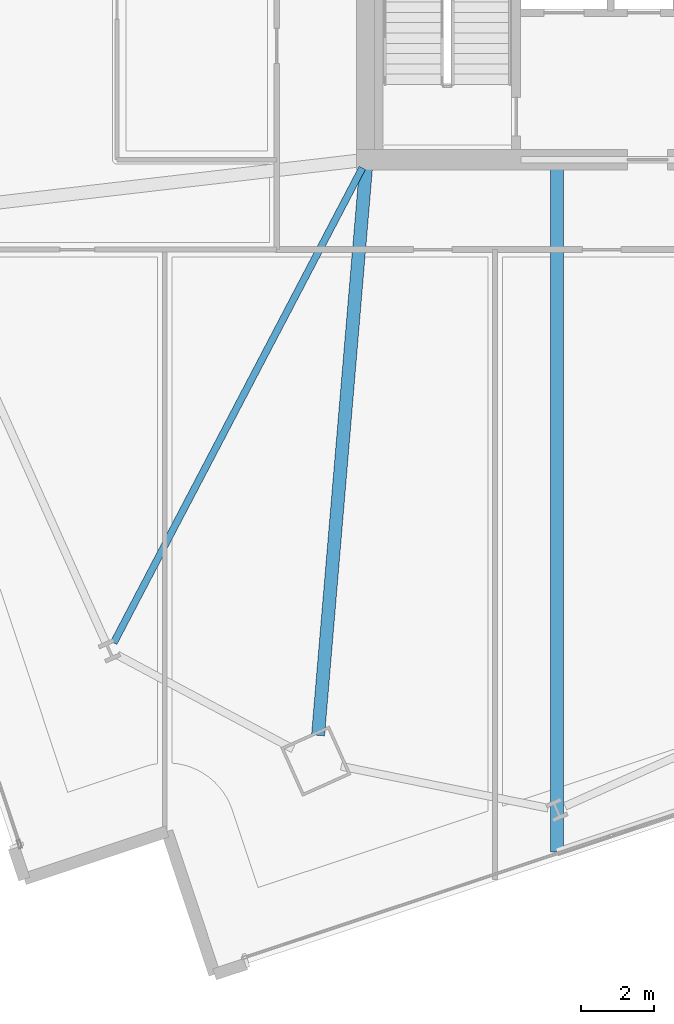
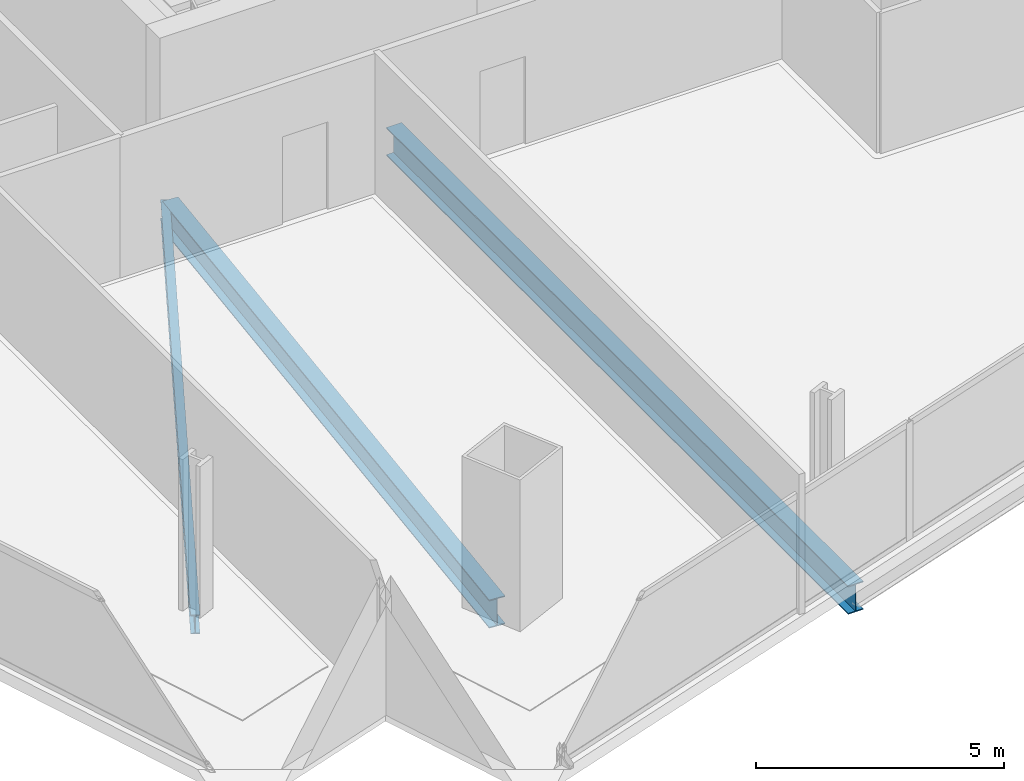
# One storey, part 4 of 34: 3 beams.
"""IFC4 building model written with IfcOpenShell, lengths in metres."""

import ifcopenshell
import ifcopenshell.guid

model = None  # the IFC model being written
_history = None  # IfcOwnerHistory: only IFC2X3 demands one
_inside = {}  # id of a spatial element -> (the spatial element, [elements in it])
_under = {}  # id of a project, library or spatial element -> (it, [spatial elements below it])
_declared = {}  # id of a project -> (the project, [libraries it declares])
_typed = {}  # id of a type object -> (the type object, [elements of that type])
_made_of = {}  # id of a material, layer set ... -> (it, [elements and type objects made of it])


def new_model(schema):
    """Start an empty IFC model of exactly this schema.

    Asked for "IFC4X3", IfcOpenShell would pick the latest addendum, in which some entities
    have other attributes; the version numbers below select the first issue.
    IFC2X3 requires an IfcOwnerHistory on every rooted entity: one is made here for all.
    """
    global model, _history
    if schema == "IFC4X3":
        model = ifcopenshell.file(schema_version=(4, 3, 0, 0))
    else:
        model = ifcopenshell.file(schema=schema)
    _inside.clear()
    _under.clear()
    _declared.clear()
    _typed.clear()
    _made_of.clear()
    _history = None
    if model.schema == "IFC2X3":
        org = make("IfcOrganization", Name="unknown")
        user = make(
            "IfcPersonAndOrganization",
            ThePerson=make("IfcPerson", FamilyName="unknown"),
            TheOrganization=org,
        )
        app = make(
            "IfcApplication",
            ApplicationDeveloper=org,
            Version="unknown",
            ApplicationFullName="unknown",
            ApplicationIdentifier="unknown",
        )
        _history = make(
            "IfcOwnerHistory",
            OwningUser=user,
            OwningApplication=app,
            ChangeAction="ADDED",
            CreationDate=0,
        )
    return model


def make(cls, **values):
    """One entity of the class cls with the attributes given. An attribute that is None is left unset."""
    return model.create_entity(
        cls, **{name: value for name, value in values.items() if value is not None}
    )


def rooted(cls, **values):
    """An entity with a GlobalId (a new one), such as an element, a storey or a relation."""
    return make(cls, GlobalId=ifcopenshell.guid.new(), OwnerHistory=_history, **values)


def si_unit(unit_type, name, prefix=None):
    """IfcSIUnit, for example si_unit("LENGTHUNIT", "METRE", prefix="MILLI")."""
    return make("IfcSIUnit", UnitType=unit_type, Prefix=prefix, Name=name)


def assignment(units):
    """IfcUnitAssignment: the units of a project."""
    return None if units is None else make("IfcUnitAssignment", Units=units)


def point(xyz):
    """IfcCartesianPoint."""
    return None if xyz is None else make("IfcCartesianPoint", Coordinates=xyz)


def direction(xyz):
    """IfcDirection."""
    return None if xyz is None else make("IfcDirection", DirectionRatios=xyz)


def frame(location, z_axis=None, x_axis=None):
    """IfcAxis2Placement3D, a coordinate frame: its origin and axes. An axis left out is left unset."""
    return make(
        "IfcAxis2Placement3D",
        Location=point(location),
        Axis=direction(z_axis),
        RefDirection=direction(x_axis),
    )


def frame_2d(location, x_axis=None):
    """IfcAxis2Placement2D, a coordinate frame in the plane: its origin and x axis."""
    return make(
        "IfcAxis2Placement2D", Location=point(location), RefDirection=direction(x_axis)
    )


def origin():
    """The frame at (0, 0, 0) with its axes left unset."""
    return frame((0.0, 0.0, 0.0))


def origin_2d():
    """The frame at (0, 0) in the plane with its x axis left unset."""
    return frame_2d((0.0, 0.0))


def place(relative_to, where):
    """IfcLocalPlacement: puts the frame where relative to a parent placement (None: the world)."""
    return make(
        "IfcLocalPlacement", PlacementRelTo=relative_to, RelativePlacement=where
    )


def context(
    kind, dimensions, precision=None, world=None, true_north=None, identifier=None
):
    """IfcGeometricRepresentationContext, for example the 3D "Model" context."""
    return make(
        "IfcGeometricRepresentationContext",
        ContextIdentifier=identifier,
        ContextType=kind,
        CoordinateSpaceDimension=dimensions,
        Precision=precision,
        WorldCoordinateSystem=world,
        TrueNorth=true_north,
    )


def subcontext(parent, identifier, kind, view, scale=None):
    """IfcGeometricRepresentationSubContext, for example "Body" below "Model"."""
    return make(
        "IfcGeometricRepresentationSubContext",
        ContextIdentifier=identifier,
        ContextType=kind,
        ParentContext=parent,
        TargetScale=scale,
        TargetView=view,
    )


def project(units=None, contexts=None):
    """IfcProject with its units and contexts."""
    return rooted(
        "IfcProject",
        Name="project",
        RepresentationContexts=contexts,
        UnitsInContext=assignment(units),
    )


def spatial(cls, under=None, at=None, **own):
    """A site, building, storey or space (cls), placed at a placement, below another one or the project."""
    s = rooted(cls, ObjectPlacement=at, **own)
    if under is not None:
        _under.setdefault(under.id(), (under, []))[1].append(s)
    return s


def profile(cls, at=None, kind="AREA", **sizes):
    """A parametric profile (cls). Its sizes go by their IFC names, for example OverallWidth=200.0."""
    return make(cls, ProfileType=kind, Position=at, **sizes)


def i_section(**sizes):
    """IfcIShapeProfileDef."""
    return profile("IfcIShapeProfileDef", **sizes)


def extrude(swept, where, along, depth):
    """IfcExtrudedAreaSolid: the profile swept, set in the frame where, extruded along a direction by depth."""
    return make(
        "IfcExtrudedAreaSolid",
        SweptArea=swept,
        Position=where,
        ExtrudedDirection=direction(along),
        Depth=depth,
    )


def shape(context_of_items, identifier, shape_type, items):
    """IfcShapeRepresentation: the items that make up one representation, for example the "Body"."""
    return make(
        "IfcShapeRepresentation",
        ContextOfItems=context_of_items,
        RepresentationIdentifier=identifier,
        RepresentationType=shape_type,
        Items=items,
    )


def material(Name=None, Category=None):
    """IfcMaterial."""
    return make("IfcMaterial", Name=Name, Category=Category)


def material_profile(
    of_material, cross_section, Name=None, Category=None, Priority=None
):
    """IfcMaterialProfile: a cross section and its material."""
    return make(
        "IfcMaterialProfile",
        Name=Name,
        Material=of_material,
        Profile=cross_section,
        Priority=Priority,
        Category=Category,
    )


def profile_set(profiles, Name=None, composite=None):
    """IfcMaterialProfileSet."""
    return make(
        "IfcMaterialProfileSet",
        Name=Name,
        MaterialProfiles=profiles,
        CompositeProfile=composite,
    )


def made_of(thing, what):
    """Note that an element or type object is made of a material, layer set ...; save() writes the relation."""
    if what is not None:
        _made_of.setdefault(what.id(), (what, []))[1].append(thing)
    return thing


def type_object(cls, material=None, **own):
    """A type object (cls), such as IfcWallType, which elements share."""
    return made_of(rooted(cls, **own), material)


def element(
    cls,
    number,
    at=None,
    inside=None,
    cuts=None,
    type_object=None,
    material=None,
    context=None,
    identifier="Body",
    shape_type=None,
    held_by="IfcProductDefinitionShape",
    body=None,
    shapes=None,
    **own,
):
    """One element of the class cls, such as IfcWall. Its Tag is "e" and its number.

    at: its placement. inside: the storey or other place that contains it. cuts: it is an
    opening in that element (IfcRelVoidsElement). A single representation is given by context,
    identifier, shape_type and body (its items); several are given by shapes. held_by: the class
    of the entity that holds the representations. save() writes the other relations.
    """
    e = rooted(cls, Tag="e%d" % number, ObjectPlacement=at, **own)
    if body is not None:
        shapes = [shape(context, identifier, shape_type, body)]
    if shapes is not None:
        e.Representation = make(held_by, Representations=shapes)
    if inside is not None:
        _inside.setdefault(inside.id(), (inside, []))[1].append(e)
    if cuts is not None:
        rooted(
            "IfcRelVoidsElement", RelatingBuildingElement=cuts, RelatedOpeningElement=e
        )
    if type_object is not None:
        _typed.setdefault(type_object.id(), (type_object, []))[1].append(e)
    return made_of(e, material)


def aggregate(whole, parts):
    """IfcRelAggregates: a whole, such as a stair, and the parts it consists of."""
    return rooted("IfcRelAggregates", RelatingObject=whole, RelatedObjects=parts)


def save(model, path):
    """Write the relations noted so far, then the file.

    IfcRelAggregates (storeys below a building ...), IfcRelContainedInSpatialStructure (elements
    in a storey), IfcRelDefinesByType, IfcRelAssociatesMaterial and IfcRelDeclares: one each for
    every whole, place, type object, material and project.
    """
    for whole, parts in _under.values():
        aggregate(whole, parts)
    for where, things in _inside.values():
        rooted(
            "IfcRelContainedInSpatialStructure",
            RelatedElements=things,
            RelatingStructure=where,
        )
    for kind, things in _typed.values():
        rooted("IfcRelDefinesByType", RelatedObjects=things, RelatingType=kind)
    for what, things in _made_of.values():
        rooted("IfcRelAssociatesMaterial", RelatedObjects=things, RelatingMaterial=what)
    for by, libraries in _declared.values():
        rooted("IfcRelDeclares", RelatingContext=by, RelatedDefinitions=libraries)
    model.write(path)


model = new_model("IFC4")

# Units and contexts
model_context = context("Model", 3, precision=1e-05, world=origin(), true_north=direction((0.0, 1.0)))
body_context = subcontext(model_context, "Body", "Model", "MODEL_VIEW")
ifc_project = project(units=[si_unit("LENGTHUNIT", "METRE"), si_unit("AREAUNIT", "SQUARE_METRE"), si_unit("VOLUMEUNIT", "CUBIC_METRE"), si_unit("PLANEANGLEUNIT", "RADIAN"), si_unit("MASSUNIT", "GRAM", prefix="KILO")], contexts=[model_context])

# Site, building, storey
site_placement = place(None, origin())
site = spatial("IfcSite", under=ifc_project, at=site_placement, CompositionType="ELEMENT")
building_placement = place(site_placement, origin())
building = spatial("IfcBuilding", under=site, at=building_placement, Name="Haldenkirk Collegiate Tower", CompositionType="ELEMENT")
storey_placement = place(building_placement, frame((0.0, 0.0, 90.449951171875)))
storey = spatial("IfcBuildingStorey", under=building, at=storey_placement, Name="L21", CompositionType="ELEMENT", Elevation=90.449951171875)

# Beams
ifc_material = material(Name="Steel ASTM A992 Grade 50", Category="steel")
ifc_material_profile_1 = material_profile(ifc_material, i_section(OverallWidth=0.35498046875, OverallDepth=0.696044921875, WebThickness=0.015380859375, FlangeThickness=0.02490234375, at=origin_2d()), Name="W27X146")
ifc_profile_set_1 = profile_set([ifc_material_profile_1], Name="Steel ASTM A992 Grade 50")
beam_type_1 = type_object("IfcBeamType", Name="BM-GIRDER-W27X146", PredefinedType="BEAM", material=ifc_profile_set_1)
beam_1_placement = place(storey_placement, frame((25.67578125, 2.3203125, -0.64794921875), z_axis=(0.084153524607, 0.996452800837, 0.0), x_axis=(-0.996452800837, 0.084153524607, 0.0)))
element("IfcBeam", 1, at=beam_1_placement, inside=storey, type_object=beam_type_1, Name="L21 primary floor girder 01", PredefinedType="BEAM", context=body_context, shape_type="SweptSolid", body=[
    extrude(i_section(OverallWidth=0.35498046875, OverallDepth=0.696044921875, WebThickness=0.015380859375, FlangeThickness=0.02490234375, at=origin_2d()), origin(), (0.0, 0.0, 1.0), 15.48046875),
])
beam_2_placement = place(storey_placement, frame((32.181396484375, -0.8583984375, -0.64794921875), z_axis=(0.0, 1.0, 0.0), x_axis=(-1.0, 0.0, 0.0)))
element("IfcBeam", 2, at=beam_2_placement, inside=storey, type_object=beam_type_1, Name="L21 primary floor girder 05", PredefinedType="BEAM", context=body_context, shape_type="SweptSolid", body=[
    extrude(i_section(OverallWidth=0.35498046875, OverallDepth=0.696044921875, WebThickness=0.015380859375, FlangeThickness=0.02490234375, at=origin_2d()), origin(), (0.0, 0.0, 1.0), 18.603515625),
])
ifc_material_profile_2 = material_profile(ifc_material, i_section(OverallWidth=0.19189453125, OverallDepth=0.462890625, WebThickness=0.010498046875, FlangeThickness=0.017578125, at=origin_2d()), Name="W18X60")
ifc_profile_set_2 = profile_set([ifc_material_profile_2], Name="Steel ASTM A992 Grade 50")
beam_type_2 = type_object("IfcBeamType", Name="BM-JOIST-W18X60", PredefinedType="JOIST", material=ifc_profile_set_2)
beam_3_placement = place(storey_placement, frame((20.10986328125, 4.838623046875, -0.531494140625), z_axis=(0.463790173169, 0.885945074636, 0.0), x_axis=(-0.885945074636, 0.463790173169, 0.0)))
element("IfcBeam", 3, at=beam_3_placement, inside=storey, type_object=beam_type_2, Name="L21 composite floor joist 16", PredefinedType="JOIST", context=body_context, shape_type="SweptSolid", body=[
    extrude(i_section(OverallWidth=0.19189453125, OverallDepth=0.462890625, WebThickness=0.010498046875, FlangeThickness=0.017578125, at=origin_2d()), origin(), (0.0, 0.0, 1.0), 14.600830078125),
])

save(model, "model.ifc")
